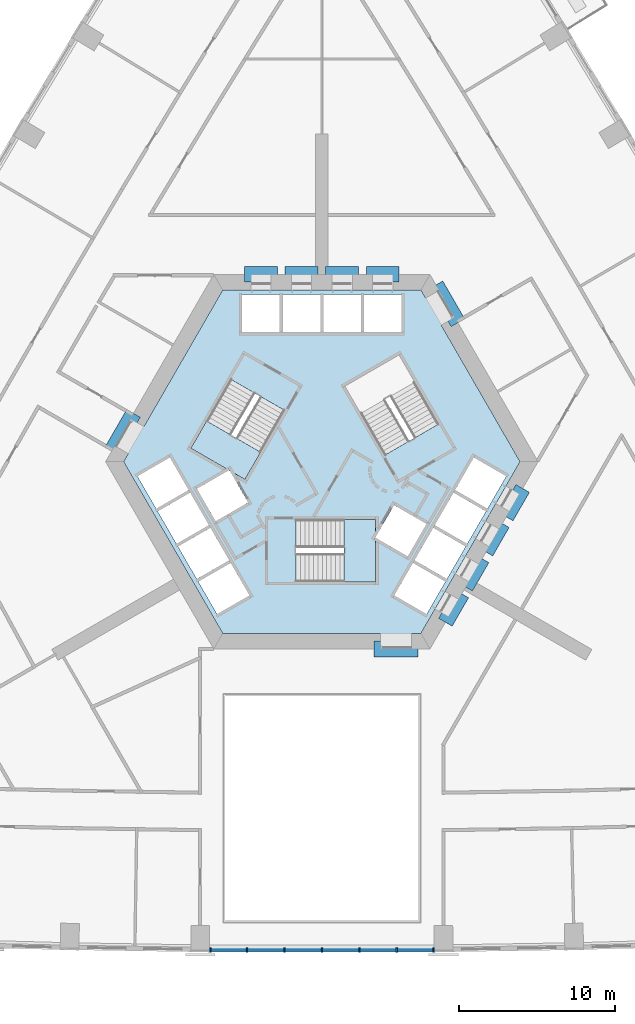
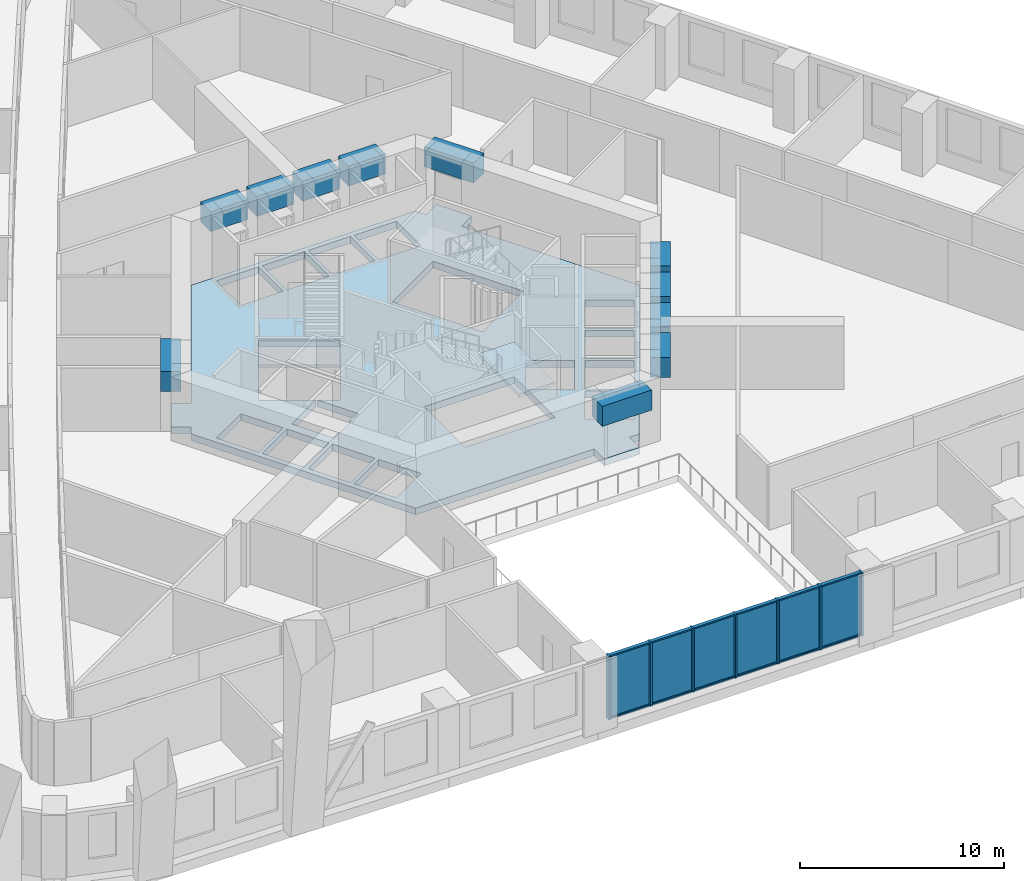
# One storey, part 2 of 16: 19 members, 11 beams, 6 plates, 3 slabs, 3 elements without a shape of their own.
"""IFC4 building model written with IfcOpenShell, lengths in metres."""

from ifc_helpers import new_model, si_unit, direction, frame, origin, origin_2d, place, context, subcontext, project, spatial, polyline, rectangle, outline, extrude, material, layer, layer_set, material_profile, profile_set, type_object, element, aggregate, save


model = new_model("IFC4")

# Units and contexts
model_context = context("Model", 3, precision=1e-05, world=origin(), true_north=direction((0.0, 1.0)))
body_context = subcontext(model_context, "Body", "Model", "MODEL_VIEW")
ifc_project = project(units=[si_unit("LENGTHUNIT", "METRE"), si_unit("AREAUNIT", "SQUARE_METRE"), si_unit("VOLUMEUNIT", "CUBIC_METRE"), si_unit("PLANEANGLEUNIT", "RADIAN"), si_unit("MASSUNIT", "GRAM", prefix="KILO")], contexts=[model_context])

# Site, building, storey
site_placement = place(None, origin())
site = spatial("IfcSite", under=ifc_project, at=site_placement, CompositionType="ELEMENT")
building_placement = place(site_placement, origin())
building = spatial("IfcBuilding", under=site, at=building_placement, Name="Entoto Arch Interchange Tower", CompositionType="ELEMENT")
storey_placement = place(building_placement, frame((0.0, 0.0, 47.60009765625)))
storey = spatial("IfcBuildingStorey", under=building, at=storey_placement, Name="L09", CompositionType="ELEMENT", Elevation=47.60009765625)

# Beams
ifc_material_1 = material(Name="Concrete C60/75", Category="concrete")
ifc_material_profile_1 = material_profile(ifc_material_1, rectangle(XDim=1.0, YDim=1.199951171875, at=origin_2d()))
ifc_profile_set_1 = profile_set([ifc_material_profile_1], Name="Concrete C60/75")
beam_type = type_object("IfcBeamType", Name="Coupling beam RC 1000x1200 C60/75", PredefinedType="BEAM", material=ifc_profile_set_1)
beam_1_placement = place(storey_placement, frame((8.717041015625, 11.402099609375, 3.0), z_axis=(-0.500200581029, 0.865909567298, 0.0), x_axis=(-0.865909567298, -0.500200581029, 0.0)))
element("IfcBeam", 1, at=beam_1_placement, inside=storey, type_object=beam_type, Name="Coupling beam NE L09", PredefinedType="BEAM", context=body_context, shape_type="SweptSolid", body=[
    extrude(rectangle(XDim=1.0, YDim=1.199951171875, at=origin_2d()), origin(), (0.0, 0.0, 1.0), 2.799072265625),
])
beam_2_placement = place(storey_placement, frame((4.949951171875, 14.5, 3.0), z_axis=(-1.0, 0.0, 0.0), x_axis=(0.0, -1.0, 0.0)))
element("IfcBeam", 2, at=beam_2_placement, inside=storey, type_object=beam_type, Name="Coupling beam N L09", PredefinedType="BEAM", context=body_context, shape_type="SweptSolid", body=[
    extrude(rectangle(XDim=1.0, YDim=1.199951171875, at=origin_2d()), origin(), (0.0, 0.0, 1.0), 2.099853515625),
])
for number, where, z_axis, x_axis, name in (
    (3, (2.35009765625, 14.5, 3.0), (-1.0, 0.0, 0.0), (0.0, -1.0, 0.0), "Coupling beam N L09"),
    (4, (-0.25, 14.5, 3.0), (-1.0, 0.0, 0.0), (0.0, -1.0, 0.0), "Coupling beam N L09"),
):
    element("IfcBeam", number, at=place(storey_placement, frame(where, z_axis=z_axis, x_axis=x_axis)), inside=storey, type_object=beam_type, Name=name, PredefinedType="BEAM", context=body_context, shape_type="SweptSolid", body=[
        extrude(rectangle(XDim=1.0, YDim=1.199951171875, at=origin_2d()), origin(), (0.0, 0.0, 1.0), 2.10009765625),
    ])
beam_3_placement = place(storey_placement, frame((-2.85009765625, 14.5, 3.0), z_axis=(-1.0, 0.0, 0.0), x_axis=(0.0, -1.0, 0.0)))
element("IfcBeam", 5, at=beam_3_placement, inside=storey, type_object=beam_type, Name="Coupling beam N L09", PredefinedType="BEAM", context=body_context, shape_type="SweptSolid", body=[
    extrude(rectangle(XDim=1.0, YDim=1.199951171875, at=origin_2d()), origin(), (0.0, 0.0, 1.0), 2.099853515625),
])
beam_4_placement = place(storey_placement, frame((-12.06689453125, 5.597900390625, 3.0), z_axis=(-0.500200581029, -0.865909567298, 0.0), x_axis=(0.865909567298, -0.500200581029, 0.0)))
element("IfcBeam", 6, at=beam_4_placement, inside=storey, type_object=beam_type, Name="Coupling beam NW L09", PredefinedType="BEAM", context=body_context, shape_type="SweptSolid", body=[
    extrude(rectangle(XDim=1.0, YDim=1.199951171875, at=origin_2d()), origin(), (0.0, 0.0, 1.0), 2.799072265625),
])
beam_5_placement = place(storey_placement, frame((3.35009765625, -9.5, 3.0), z_axis=(1.0, 0.0, 0.0), x_axis=(0.0, 1.0, 0.0)))
element("IfcBeam", 7, at=beam_5_placement, inside=storey, type_object=beam_type, Name="Coupling beam S L09", PredefinedType="BEAM", context=body_context, shape_type="SweptSolid", body=[
    extrude(rectangle(XDim=1.0, YDim=1.199951171875, at=origin_2d()), origin(), (0.0, 0.0, 1.0), 2.7998046875),
])
for number, where, z_axis, x_axis, name in (
    (8, (7.9169921875, -7.785888671875, 3.0), (0.500178781653, 0.865922159541, 0.0), (-0.865922159541, 0.500178781653, 0.0), "Coupling beam SE L09"),
    (9, (9.217041015625, -5.534912109375, 3.0), (0.500178781653, 0.865922159541, 0.0), (-0.865922159541, 0.500178781653, 0.0), "Coupling beam SE L09"),
):
    element("IfcBeam", number, at=place(storey_placement, frame(where, z_axis=z_axis, x_axis=x_axis)), inside=storey, type_object=beam_type, Name=name, PredefinedType="BEAM", context=body_context, shape_type="SweptSolid", body=[
        extrude(rectangle(XDim=1.0, YDim=1.199951171875, at=origin_2d()), origin(), (0.0, 0.0, 1.0), 2.099365234375),
    ])
beam_6_placement = place(storey_placement, frame((10.51708984375, -3.282958984375, 3.0), z_axis=(0.500091574638, 0.865972526687, 0.0), x_axis=(-0.865972526687, 0.500091574638, 0.0)))
element("IfcBeam", 10, at=beam_6_placement, inside=storey, type_object=beam_type, Name="Coupling beam SE L09", PredefinedType="BEAM", context=body_context, shape_type="SweptSolid", body=[
    extrude(rectangle(XDim=1.0, YDim=1.199951171875, at=origin_2d()), origin(), (0.0, 0.0, 1.0), 2.09912109375),
])
beam_7_placement = place(storey_placement, frame((11.81689453125, -1.031982421875, 3.0), z_axis=(0.500178781653, 0.865922159541, 0.0), x_axis=(-0.865922159541, 0.500178781653, 0.0)))
element("IfcBeam", 11, at=beam_7_placement, inside=storey, type_object=beam_type, Name="Coupling beam SE L09", PredefinedType="BEAM", context=body_context, shape_type="SweptSolid", body=[
    extrude(rectangle(XDim=1.0, YDim=1.199951171875, at=origin_2d()), origin(), (0.0, 0.0, 1.0), 2.099365234375),
])

# Curtain wall, members
ifc_material_2 = material(Name="Aluminium, anodised", Category="aluminium")
curtain_wall_type = type_object("IfcCurtainWallType", Name="CURTAIN WALL ATRIUM", PredefinedType="NOTDEFINED", material=ifc_material_2)
curtain_wall_placement = place(storey_placement, origin())
curtain_wall = element("IfcCurtainWall", 12, at=curtain_wall_placement, inside=storey, type_object=curtain_wall_type, Name="Atrium glazing S-04 L09", PredefinedType="NOTDEFINED")
ifc_material_profile_2 = material_profile(ifc_material_2, rectangle(XDim=0.300048828125, YDim=0.10009765625, at=origin_2d()))
ifc_profile_set_2 = profile_set([ifc_material_profile_2], Name="Aluminium, anodised")
member_type_1 = type_object("IfcMemberType", Name="MULLION ATRIUM 100x300", PredefinedType="MULLION", material=ifc_profile_set_2)
member_1_placement = place(storey_placement, frame((-7.14794921875, -28.784912109375, 0.0), z_axis=(0.0, 0.0, 1.0), x_axis=(0.0, 1.0, 0.0)))
member_1 = element("IfcMember", 13, at=member_1_placement, type_object=member_type_1, Name="CWA mullion 1", PredefinedType="MULLION", context=body_context, shape_type="SweptSolid", body=[
    extrude(rectangle(XDim=0.300048828125, YDim=0.10009765625, at=origin_2d()), origin(), (0.0, 0.0, 1.0), 3.7998046875),
])
member_2_placement = place(storey_placement, frame((-4.798583984375, -28.784912109375, 0.0), z_axis=(0.0, 0.0, 1.0), x_axis=(0.0, 1.0, 0.0)))
member_2 = element("IfcMember", 14, at=member_2_placement, type_object=member_type_1, Name="CWA mullion 2", PredefinedType="MULLION", context=body_context, shape_type="SweptSolid", body=[
    extrude(rectangle(XDim=0.300048828125, YDim=0.10009765625, at=origin_2d()), origin(), (0.0, 0.0, 1.0), 3.7998046875),
])
member_3_placement = place(storey_placement, frame((-2.3994140625, -28.784912109375, 0.0), z_axis=(0.0, 0.0, 1.0), x_axis=(0.0, 1.0, 0.0)))
member_3 = element("IfcMember", 15, at=member_3_placement, type_object=member_type_1, Name="CWA mullion 3", PredefinedType="MULLION", context=body_context, shape_type="SweptSolid", body=[
    extrude(rectangle(XDim=0.300048828125, YDim=0.10009765625, at=origin_2d()), origin(), (0.0, 0.0, 1.0), 3.7998046875),
])
member_4_placement = place(storey_placement, frame((0.0, -28.784912109375, 0.0), z_axis=(0.0, 0.0, 1.0), x_axis=(0.0, 1.0, 0.0)))
member_4 = element("IfcMember", 16, at=member_4_placement, type_object=member_type_1, Name="CWA mullion 4", PredefinedType="MULLION", context=body_context, shape_type="SweptSolid", body=[
    extrude(rectangle(XDim=0.300048828125, YDim=0.10009765625, at=origin_2d()), origin(), (0.0, 0.0, 1.0), 3.7998046875),
])
member_5_placement = place(storey_placement, frame((2.3994140625, -28.784912109375, 0.0), z_axis=(0.0, 0.0, 1.0), x_axis=(0.0, 1.0, 0.0)))
member_5 = element("IfcMember", 17, at=member_5_placement, type_object=member_type_1, Name="CWA mullion 5", PredefinedType="MULLION", context=body_context, shape_type="SweptSolid", body=[
    extrude(rectangle(XDim=0.300048828125, YDim=0.10009765625, at=origin_2d()), origin(), (0.0, 0.0, 1.0), 3.7998046875),
])
member_6_placement = place(storey_placement, frame((4.798583984375, -28.784912109375, 0.0), z_axis=(0.0, 0.0, 1.0), x_axis=(0.0, 1.0, 0.0)))
member_6 = element("IfcMember", 18, at=member_6_placement, type_object=member_type_1, Name="CWA mullion 6", PredefinedType="MULLION", context=body_context, shape_type="SweptSolid", body=[
    extrude(rectangle(XDim=0.300048828125, YDim=0.10009765625, at=origin_2d()), origin(), (0.0, 0.0, 1.0), 3.7998046875),
])
member_7_placement = place(storey_placement, frame((7.14794921875, -28.784912109375, 0.0), z_axis=(0.0, 0.0, 1.0), x_axis=(0.0, 1.0, 0.0)))
member_7 = element("IfcMember", 19, at=member_7_placement, type_object=member_type_1, Name="CWA mullion 7", PredefinedType="MULLION", context=body_context, shape_type="SweptSolid", body=[
    extrude(rectangle(XDim=0.300048828125, YDim=0.10009765625, at=origin_2d()), origin(), (0.0, 0.0, 1.0), 3.7998046875),
])
ifc_material_profile_3 = material_profile(ifc_material_2, rectangle(XDim=0.199951171875, YDim=0.080078125, at=origin_2d()))
ifc_profile_set_3 = profile_set([ifc_material_profile_3], Name="Aluminium, anodised")
member_type_2 = type_object("IfcMemberType", Name="TRANSOM ATRIUM 80x200", PredefinedType="USERDEFINED", material=ifc_profile_set_3)
member_8_placement = place(storey_placement, frame((-7.097900390625, -28.784912109375, 0.039794921875), z_axis=(1.0, 0.0, 0.0), x_axis=(0.0, 1.0, 0.0)))
member_8 = element("IfcMember", 20, at=member_8_placement, type_object=member_type_2, Name="CWA transom 1.1", ObjectType="TRANSOM", PredefinedType="USERDEFINED", context=body_context, shape_type="SweptSolid", body=[
    extrude(rectangle(XDim=0.199951171875, YDim=0.080078125, at=origin_2d()), origin(), (0.0, 0.0, 1.0), 2.249267578125),
])
member_9_placement = place(storey_placement, frame((-7.097900390625, -28.784912109375, 3.760009765625), z_axis=(1.0, 0.0, 0.0), x_axis=(0.0, 1.0, 0.0)))
member_9 = element("IfcMember", 21, at=member_9_placement, type_object=member_type_2, Name="CWA transom 1.2", ObjectType="TRANSOM", PredefinedType="USERDEFINED", context=body_context, shape_type="SweptSolid", body=[
    extrude(rectangle(XDim=0.199951171875, YDim=0.080078125, at=origin_2d()), origin(), (0.0, 0.0, 1.0), 2.249267578125),
])
member_10_placement = place(storey_placement, frame((-4.748779296875, -28.784912109375, 0.039794921875), z_axis=(1.0, 0.0, 0.0), x_axis=(0.0, 1.0, 0.0)))
member_10 = element("IfcMember", 22, at=member_10_placement, type_object=member_type_2, Name="CWA transom 2.1", ObjectType="TRANSOM", PredefinedType="USERDEFINED", context=body_context, shape_type="SweptSolid", body=[
    extrude(rectangle(XDim=0.199951171875, YDim=0.080078125, at=origin_2d()), origin(), (0.0, 0.0, 1.0), 2.299560546875),
])
member_11_placement = place(storey_placement, frame((-4.748779296875, -28.784912109375, 3.760009765625), z_axis=(1.0, 0.0, 0.0), x_axis=(0.0, 1.0, 0.0)))
member_11 = element("IfcMember", 23, at=member_11_placement, type_object=member_type_2, Name="CWA transom 2.2", ObjectType="TRANSOM", PredefinedType="USERDEFINED", context=body_context, shape_type="SweptSolid", body=[
    extrude(rectangle(XDim=0.199951171875, YDim=0.080078125, at=origin_2d()), origin(), (0.0, 0.0, 1.0), 2.299560546875),
])
member_12_placement = place(storey_placement, frame((-2.349365234375, -28.784912109375, 0.039794921875), z_axis=(1.0, 0.0, 0.0), x_axis=(0.0, 1.0, 0.0)))
member_12 = element("IfcMember", 24, at=member_12_placement, type_object=member_type_2, Name="CWA transom 3.1", ObjectType="TRANSOM", PredefinedType="USERDEFINED", context=body_context, shape_type="SweptSolid", body=[
    extrude(rectangle(XDim=0.199951171875, YDim=0.080078125, at=origin_2d()), origin(), (0.0, 0.0, 1.0), 2.29931640625),
])
member_13_placement = place(storey_placement, frame((-2.349365234375, -28.784912109375, 3.760009765625), z_axis=(1.0, 0.0, 0.0), x_axis=(0.0, 1.0, 0.0)))
member_13 = element("IfcMember", 25, at=member_13_placement, type_object=member_type_2, Name="CWA transom 3.2", ObjectType="TRANSOM", PredefinedType="USERDEFINED", context=body_context, shape_type="SweptSolid", body=[
    extrude(rectangle(XDim=0.199951171875, YDim=0.080078125, at=origin_2d()), origin(), (0.0, 0.0, 1.0), 2.29931640625),
])
member_14_placement = place(storey_placement, frame((0.050048828125, -28.784912109375, 0.039794921875), z_axis=(1.0, 0.0, 0.0), x_axis=(0.0, 1.0, 0.0)))
member_14 = element("IfcMember", 26, at=member_14_placement, type_object=member_type_2, Name="CWA transom 4.1", ObjectType="TRANSOM", PredefinedType="USERDEFINED", context=body_context, shape_type="SweptSolid", body=[
    extrude(rectangle(XDim=0.199951171875, YDim=0.080078125, at=origin_2d()), origin(), (0.0, 0.0, 1.0), 2.29931640625),
])
member_15_placement = place(storey_placement, frame((0.050048828125, -28.784912109375, 3.760009765625), z_axis=(1.0, 0.0, 0.0), x_axis=(0.0, 1.0, 0.0)))
member_15 = element("IfcMember", 27, at=member_15_placement, type_object=member_type_2, Name="CWA transom 4.2", ObjectType="TRANSOM", PredefinedType="USERDEFINED", context=body_context, shape_type="SweptSolid", body=[
    extrude(rectangle(XDim=0.199951171875, YDim=0.080078125, at=origin_2d()), origin(), (0.0, 0.0, 1.0), 2.29931640625),
])
member_16_placement = place(storey_placement, frame((2.44921875, -28.784912109375, 0.039794921875), z_axis=(1.0, 0.0, 0.0), x_axis=(0.0, 1.0, 0.0)))
member_16 = element("IfcMember", 28, at=member_16_placement, type_object=member_type_2, Name="CWA transom 5.1", ObjectType="TRANSOM", PredefinedType="USERDEFINED", context=body_context, shape_type="SweptSolid", body=[
    extrude(rectangle(XDim=0.199951171875, YDim=0.080078125, at=origin_2d()), origin(), (0.0, 0.0, 1.0), 2.299560546875),
])
member_17_placement = place(storey_placement, frame((2.44921875, -28.784912109375, 3.760009765625), z_axis=(1.0, 0.0, 0.0), x_axis=(0.0, 1.0, 0.0)))
member_17 = element("IfcMember", 29, at=member_17_placement, type_object=member_type_2, Name="CWA transom 5.2", ObjectType="TRANSOM", PredefinedType="USERDEFINED", context=body_context, shape_type="SweptSolid", body=[
    extrude(rectangle(XDim=0.199951171875, YDim=0.080078125, at=origin_2d()), origin(), (0.0, 0.0, 1.0), 2.299560546875),
])
member_18_placement = place(storey_placement, frame((4.8486328125, -28.784912109375, 0.039794921875), z_axis=(1.0, 0.0, 0.0), x_axis=(0.0, 1.0, 0.0)))
member_18 = element("IfcMember", 30, at=member_18_placement, type_object=member_type_2, Name="CWA transom 6.1", ObjectType="TRANSOM", PredefinedType="USERDEFINED", context=body_context, shape_type="SweptSolid", body=[
    extrude(rectangle(XDim=0.199951171875, YDim=0.080078125, at=origin_2d()), origin(), (0.0, 0.0, 1.0), 2.249267578125),
])
member_19_placement = place(storey_placement, frame((4.8486328125, -28.784912109375, 3.760009765625), z_axis=(1.0, 0.0, 0.0), x_axis=(0.0, 1.0, 0.0)))
member_19 = element("IfcMember", 31, at=member_19_placement, type_object=member_type_2, Name="CWA transom 6.2", ObjectType="TRANSOM", PredefinedType="USERDEFINED", context=body_context, shape_type="SweptSolid", body=[
    extrude(rectangle(XDim=0.199951171875, YDim=0.080078125, at=origin_2d()), origin(), (0.0, 0.0, 1.0), 2.249267578125),
])

# Slab
ifc_material_3 = material(Name="Concrete C40/50", Category="concrete")
ifc_layer_1 = layer(ifc_material_3, 0.39990234375)
ifc_layer_set_1 = layer_set([ifc_layer_1], Name="Concrete C40/50")
slab_type_1 = type_object("IfcSlabType", Name="Core floor slab 400 C40/50", PredefinedType="FLOOR", material=ifc_layer_set_1)
slab_1_placement = place(storey_placement, frame((0.0, 0.0, -0.400146484375)))
element("IfcSlab", 32, at=slab_1_placement, inside=storey, type_object=slab_type_1, Name="Core floor slab L09", PredefinedType="FLOOR", context=body_context, shape_type="SweptSolid", body=[
    extrude(outline(polyline([(5.75, -9.5), (3.75, -9.5), (3.75, -8.5), (-6.35107421875, -8.5), (-12.701904296875, 2.5), (-12.402099609375, 3.02001953125), (-13.26708984375, 3.52001953125), (-12.26708984375, 5.251953125), (-11.402099609375, 4.751953125), (-6.35107421875, 13.5), (6.35107421875, 13.5), (6.65087890625, 12.97998046875), (7.51708984375, 13.47998046875), (8.51708984375, 11.748046875), (7.65087890625, 11.248046875), (12.701904296875, 2.5), (6.35107421875, -8.5), (5.75, -8.5), (5.75, -9.5)]), holes=[polyline([(-4.637939453125, -6.06689453125), (-5.837890625, -3.988037109375), (-7.916015625, -5.18798828125), (-6.716064453125, -7.26708984375), (-4.637939453125, -6.06689453125)]), polyline([(-5.93798828125, -3.81494140625), (-7.137939453125, -1.737060546875), (-9.216064453125, -2.93701171875), (-8.01611328125, -5.014892578125), (-5.93798828125, -3.81494140625)]), polyline([(5.5048828125, -3.56494140625), (6.705078125, -1.487060546875), (4.626953125, -0.287109375), (3.449951171875, -2.324951171875), (3.449951171875, -1.199951171875), (-1.64990234375, -1.199951171875), (-1.64990234375, -5.199951171875), (3.449951171875, -5.199951171875), (3.449951171875, -2.3779296875), (5.5048828125, -3.56494140625)]), polyline([(-7.238037109375, -1.56298828125), (-8.43798828125, 0.514892578125), (-10.51611328125, -0.68505859375), (-9.31591796875, -2.762939453125), (-7.238037109375, -1.56298828125)]), polyline([(-4.72705078125, -0.113037109375), (-5.904052734375, 1.925048828125), (-4.928955078125, 1.362060546875), (-2.37890625, 5.779052734375), (-5.843017578125, 7.779052734375), (-8.39306640625, 3.362060546875), (-5.949951171875, 1.951904296875), (-8.0048828125, 0.764892578125), (-6.804931640625, -1.31298828125), (-4.72705078125, -0.113037109375)]), polyline([(-8.5380859375, 0.68798828125), (-9.738037109375, 2.76708984375), (-11.81591796875, 1.56689453125), (-10.615966796875, -0.511962890625), (-8.5380859375, 0.68798828125)]), polyline([(-5.10009765625, 10.800048828125), (-2.699951171875, 10.800048828125), (-2.699951171875, 13.199951171875), (-5.10009765625, 13.199951171875), (-5.10009765625, 10.800048828125)]), polyline([(-2.5, 10.800048828125), (-0.10009765625, 10.800048828125), (-0.10009765625, 13.199951171875), (-2.5, 13.199951171875), (-2.5, 10.800048828125)]), polyline([(5.837890625, -3.988037109375), (4.637939453125, -6.06689453125), (6.716064453125, -7.26708984375), (7.916015625, -5.18798828125), (5.837890625, -3.988037109375)]), polyline([(7.137939453125, -1.737060546875), (5.93798828125, -3.81494140625), (8.01611328125, -5.014892578125), (9.216064453125, -2.93701171875), (7.137939453125, -1.737060546875)]), polyline([(8.43798828125, 0.514892578125), (7.238037109375, -1.56298828125), (9.31591796875, -2.762939453125), (10.51611328125, -0.68505859375), (8.43798828125, 0.514892578125)]), polyline([(9.738037109375, 2.76708984375), (8.5380859375, 0.68798828125), (10.615966796875, -0.511962890625), (11.81591796875, 1.56689453125), (9.738037109375, 2.76708984375)]), polyline([(4.029052734375, 2.9208984375), (7.492919921875, 4.9208984375), (4.943115234375, 9.337890625), (1.47900390625, 7.337890625), (4.029052734375, 2.9208984375)]), polyline([(0.10009765625, 13.199951171875), (0.10009765625, 10.800048828125), (2.5, 10.800048828125), (2.5, 13.199951171875), (0.10009765625, 13.199951171875)]), polyline([(2.699951171875, 13.199951171875), (2.699951171875, 10.800048828125), (5.10009765625, 10.800048828125), (5.10009765625, 13.199951171875), (2.699951171875, 13.199951171875)])]), origin(), (0.0, 0.0, 1.0), 0.400146484375),
])

# Stair, slab
stair_type = type_object("IfcStairType", Name="EXIT STAIR RC 1800", PredefinedType="HALF_TURN_STAIR", material=ifc_material_3)
stair_1_placement = place(storey_placement, origin())
stair_1 = element("IfcStair", 33, at=stair_1_placement, inside=storey, type_object=stair_type, Name="L09 Exit stair S", PredefinedType="HALF_TURN_STAIR")
ifc_layer_2 = layer(ifc_material_3, 0.199951171875)
ifc_layer_set_2 = layer_set([ifc_layer_2], Name="Concrete C40/50")
slab_type_2 = type_object("IfcSlabType", Name="EXIT STAIR LANDING RC 200", PredefinedType="LANDING", material=ifc_layer_set_2)
slab_2_placement = place(storey_placement, frame((0.0, 0.0, 1.89990234375)))
slab_2 = element("IfcSlab", 34, at=slab_2_placement, type_object=slab_type_2, Name="ST-S landing 1", PredefinedType="LANDING", context=body_context, shape_type="SweptSolid", body=[
    extrude(outline(polyline([(1.429931640625, -5.199951171875), (3.449951171875, -5.199951171875), (3.449951171875, -1.199951171875), (1.429931640625, -1.199951171875), (1.429931640625, -5.199951171875)])), origin(), (0.0, 0.0, 1.0), 0.199951171875),
])
aggregate(stair_1, [slab_2])

stair_2_placement = place(storey_placement, origin())
stair_2 = element("IfcStair", 35, at=stair_2_placement, inside=storey, type_object=stair_type, Name="L09 Exit stair NW", PredefinedType="HALF_TURN_STAIR")
slab_3_placement = place(storey_placement, frame((0.0, 0.0, 1.89990234375)))
slab_3 = element("IfcSlab", 36, at=slab_3_placement, type_object=slab_type_2, Name="ST-NW landing 1", PredefinedType="LANDING", context=body_context, shape_type="SweptSolid", body=[
    extrude(outline(polyline([(-7.38330078125, 5.111572265625), (-8.393310546875, 3.3623046875), (-4.92919921875, 1.3623046875), (-3.919189453125, 3.111572265625), (-7.38330078125, 5.111572265625)])), origin(), (0.0, 0.0, 1.0), 0.199951171875),
])
aggregate(stair_2, [slab_3])

# Plate
ifc_material_4 = material(Name="Clear glass, low-e double glazed", Category="glass")
ifc_layer_3 = layer(ifc_material_4, 0.031982421875)
ifc_layer_set_3 = layer_set([ifc_layer_3], Name="Clear glass, low-e double glazed")
plate_type = type_object("IfcPlateType", Name="GLAZING PANEL ATRIUM 32", PredefinedType="CURTAIN_PANEL", material=ifc_layer_set_3)
plate_1_placement = place(storey_placement, frame((-5.973388671875, -28.784912109375, 0.080078125), z_axis=(0.0, 0.0, 1.0), x_axis=(1.0, 0.0, 0.0)))
plate_1 = element("IfcPlate", 37, at=plate_1_placement, type_object=plate_type, Name="CWA panel 1.1", PredefinedType="CURTAIN_PANEL", context=body_context, shape_type="SweptSolid", body=[
    extrude(rectangle(XDim=2.249267578125, YDim=0.031982421875, at=origin_2d()), origin(), (0.0, 0.0, 1.0), 3.639892578125),
])

plate_2_placement = place(storey_placement, frame((-3.59912109375, -28.784912109375, 0.080078125), z_axis=(0.0, 0.0, 1.0), x_axis=(1.0, 0.0, 0.0)))
plate_2 = element("IfcPlate", 38, at=plate_2_placement, type_object=plate_type, Name="CWA panel 2.1", PredefinedType="CURTAIN_PANEL", context=body_context, shape_type="SweptSolid", body=[
    extrude(rectangle(XDim=2.29931640625, YDim=0.031982421875, at=origin_2d()), origin(), (0.0, 0.0, 1.0), 3.639892578125),
])

plate_3_placement = place(storey_placement, frame((-1.19970703125, -28.784912109375, 0.080078125), z_axis=(0.0, 0.0, 1.0), x_axis=(1.0, 0.0, 0.0)))
plate_3 = element("IfcPlate", 39, at=plate_3_placement, type_object=plate_type, Name="CWA panel 3.1", PredefinedType="CURTAIN_PANEL", context=body_context, shape_type="SweptSolid", body=[
    extrude(rectangle(XDim=2.29931640625, YDim=0.031982421875, at=origin_2d()), origin(), (0.0, 0.0, 1.0), 3.639892578125),
])

plate_4_placement = place(storey_placement, frame((1.19970703125, -28.784912109375, 0.080078125), z_axis=(0.0, 0.0, 1.0), x_axis=(1.0, 0.0, 0.0)))
plate_4 = element("IfcPlate", 40, at=plate_4_placement, type_object=plate_type, Name="CWA panel 4.1", PredefinedType="CURTAIN_PANEL", context=body_context, shape_type="SweptSolid", body=[
    extrude(rectangle(XDim=2.29931640625, YDim=0.031982421875, at=origin_2d()), origin(), (0.0, 0.0, 1.0), 3.639892578125),
])

plate_5_placement = place(storey_placement, frame((3.59912109375, -28.784912109375, 0.080078125), z_axis=(0.0, 0.0, 1.0), x_axis=(1.0, 0.0, 0.0)))
plate_5 = element("IfcPlate", 41, at=plate_5_placement, type_object=plate_type, Name="CWA panel 5.1", PredefinedType="CURTAIN_PANEL", context=body_context, shape_type="SweptSolid", body=[
    extrude(rectangle(XDim=2.29931640625, YDim=0.031982421875, at=origin_2d()), origin(), (0.0, 0.0, 1.0), 3.639892578125),
])

plate_6_placement = place(storey_placement, frame((5.973388671875, -28.784912109375, 0.080078125), z_axis=(0.0, 0.0, 1.0), x_axis=(1.0, 0.0, 0.0)))
plate_6 = element("IfcPlate", 42, at=plate_6_placement, type_object=plate_type, Name="CWA panel 6.1", PredefinedType="CURTAIN_PANEL", context=body_context, shape_type="SweptSolid", body=[
    extrude(rectangle(XDim=2.249267578125, YDim=0.031982421875, at=origin_2d()), origin(), (0.0, 0.0, 1.0), 3.639892578125),
])

aggregate(curtain_wall, [member_1, member_2, member_3, member_4, member_5, member_6, member_7, member_8, member_9, plate_1, member_10, member_11, plate_2, member_12, member_13, plate_3, member_14, member_15, plate_4, member_16, member_17, plate_5, member_18, member_19, plate_6])

save(model, "model.ifc")
